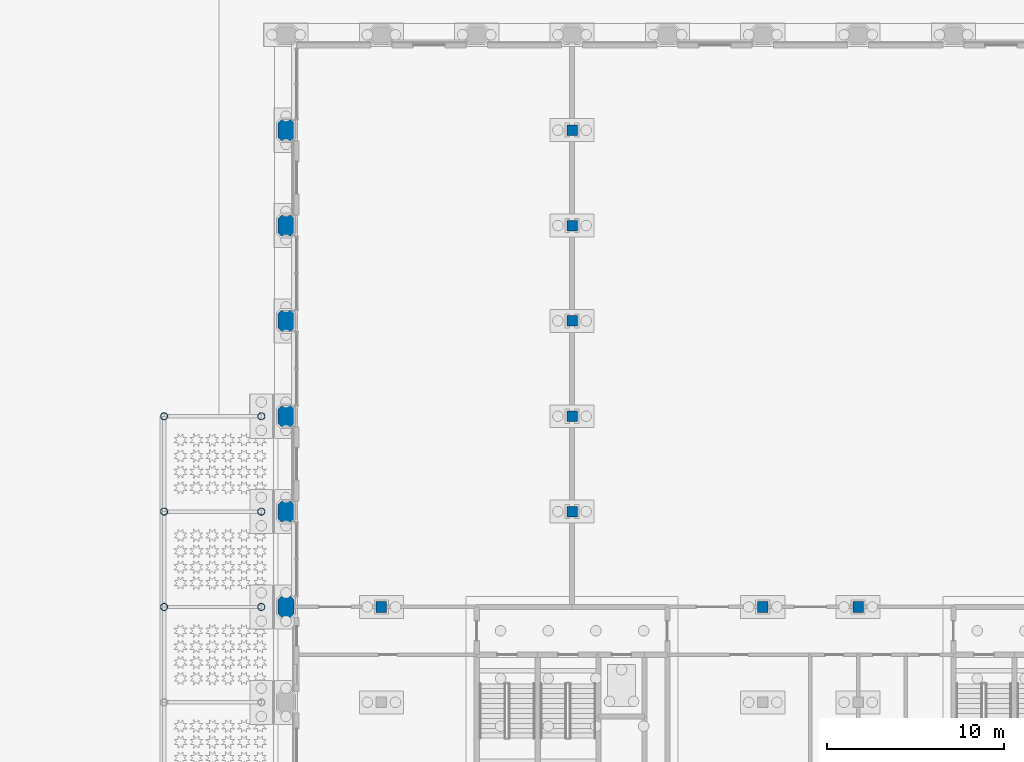
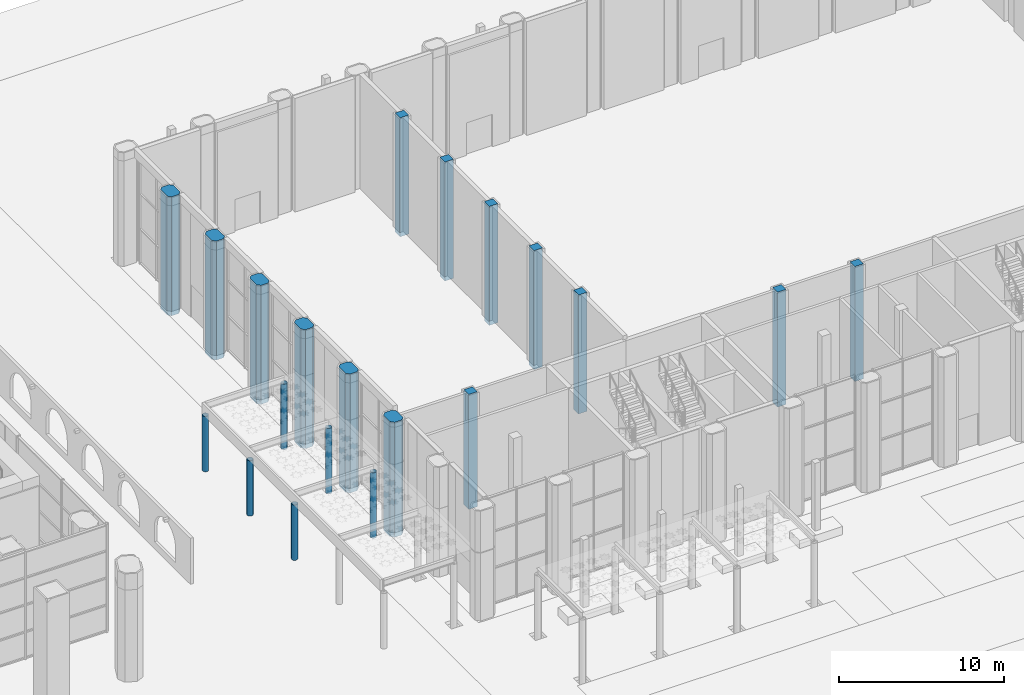
# One storey, part 6 of 54: 20 columns.
"""IFC4 building model written with IfcOpenShell, lengths in metres."""

from ifc_helpers import new_model, si_unit, direction, frame, origin, origin_2d, place, context, subcontext, project, spatial, polyline, rectangle, hollow_circle, outline, extrude, material, material_profile, profile_set, type_object, element, save


model = new_model("IFC4")

# Units and contexts
model_context = context("Model", 3, precision=1e-05, world=origin(), true_north=direction((0.0, 1.0)))
body_context = subcontext(model_context, "Body", "Model", "MODEL_VIEW")
ifc_project = project(units=[si_unit("LENGTHUNIT", "METRE"), si_unit("AREAUNIT", "SQUARE_METRE"), si_unit("VOLUMEUNIT", "CUBIC_METRE"), si_unit("PLANEANGLEUNIT", "RADIAN"), si_unit("MASSUNIT", "GRAM", prefix="KILO")], contexts=[model_context])

# Site, building, storey
site_placement = place(None, origin())
site = spatial("IfcSite", under=ifc_project, at=site_placement, CompositionType="ELEMENT")
building_placement = place(site_placement, origin())
building = spatial("IfcBuilding", under=site, at=building_placement, Name="Tabaq Tower and Sports Hall", CompositionType="ELEMENT")
storey_placement = place(building_placement, origin())
storey = spatial("IfcBuildingStorey", under=building, at=storey_placement, Name="L00", CompositionType="ELEMENT", Elevation=0.0)

# Columns
ifc_material_1 = material(Name="Steel S355", Category="steel")
ifc_material_profile_1 = material_profile(ifc_material_1, hollow_circle(Radius=0.203125, WallThickness=0.01611328125, at=origin_2d()), Name="CHS 406.4x16")
ifc_profile_set_1 = profile_set([ifc_material_profile_1], Name="Steel S355")
column_type_1 = type_object("IfcColumnType", Name="CANOPY COLUMN CHS 406.4x16", PredefinedType="COLUMN", material=ifc_profile_set_1)
column_1_placement = place(storey_placement, frame((63.39990234375, 10.800048828125, -0.300048828125), z_axis=(0.0, 0.0, 1.0), x_axis=(1.0, 0.0, 0.0)))
element("IfcColumn", 1, at=column_1_placement, inside=storey, type_object=column_type_1, Name="Plaza canopy column PC3", PredefinedType="COLUMN", context=body_context, shape_type="SweptSolid", body=[
    extrude(hollow_circle(Radius=0.203125, WallThickness=0.01611328125, at=origin_2d()), origin(), (0.0, 0.0, 1.0), 4.843017578125),
])
column_2_placement = place(storey_placement, frame((57.89990234375, 10.800048828125, 0.0), z_axis=(0.0, 0.0, 1.0), x_axis=(1.0, 0.0, 0.0)))
element("IfcColumn", 2, at=column_2_placement, inside=storey, type_object=column_type_1, Name="Plaza canopy front column PF3", PredefinedType="COLUMN", context=body_context, shape_type="SweptSolid", body=[
    extrude(hollow_circle(Radius=0.203125, WallThickness=0.01611328125, at=origin_2d()), origin(), (0.0, 0.0, 1.0), 4.0859375),
])
column_3_placement = place(storey_placement, frame((63.39990234375, 16.199951171875, -0.300048828125), z_axis=(0.0, 0.0, 1.0), x_axis=(1.0, 0.0, 0.0)))
element("IfcColumn", 3, at=column_3_placement, inside=storey, type_object=column_type_1, Name="Plaza canopy column PC4", PredefinedType="COLUMN", context=body_context, shape_type="SweptSolid", body=[
    extrude(hollow_circle(Radius=0.203125, WallThickness=0.01611328125, at=origin_2d()), origin(), (0.0, 0.0, 1.0), 4.843017578125),
])
column_4_placement = place(storey_placement, frame((57.89990234375, 16.199951171875, 0.0), z_axis=(0.0, 0.0, 1.0), x_axis=(1.0, 0.0, 0.0)))
element("IfcColumn", 4, at=column_4_placement, inside=storey, type_object=column_type_1, Name="Plaza canopy front column PF4", PredefinedType="COLUMN", context=body_context, shape_type="SweptSolid", body=[
    extrude(hollow_circle(Radius=0.203125, WallThickness=0.01611328125, at=origin_2d()), origin(), (0.0, 0.0, 1.0), 4.0859375),
])
column_5_placement = place(storey_placement, frame((63.39990234375, 21.60009765625, -0.300048828125), z_axis=(0.0, 0.0, 1.0), x_axis=(1.0, 0.0, 0.0)))
element("IfcColumn", 5, at=column_5_placement, inside=storey, type_object=column_type_1, Name="Plaza canopy column PC5", PredefinedType="COLUMN", context=body_context, shape_type="SweptSolid", body=[
    extrude(hollow_circle(Radius=0.203125, WallThickness=0.01611328125, at=origin_2d()), origin(), (0.0, 0.0, 1.0), 4.843017578125),
])
column_6_placement = place(storey_placement, frame((57.89990234375, 21.60009765625, 0.0), z_axis=(0.0, 0.0, 1.0), x_axis=(1.0, 0.0, 0.0)))
element("IfcColumn", 6, at=column_6_placement, inside=storey, type_object=column_type_1, Name="Plaza canopy front column PF5", PredefinedType="COLUMN", context=body_context, shape_type="SweptSolid", body=[
    extrude(hollow_circle(Radius=0.203125, WallThickness=0.01611328125, at=origin_2d()), origin(), (0.0, 0.0, 1.0), 4.0859375),
])
ifc_material_2 = material(Name="Concrete C50/60", Category="concrete")
ifc_material_profile_2 = material_profile(ifc_material_2, rectangle(XDim=0.60009765625, YDim=0.60009765625, at=origin_2d()), Name="RC 600x600")
ifc_profile_set_2 = profile_set([ifc_material_profile_2], Name="Concrete C50/60")
column_type_2 = type_object("IfcColumnType", Name="HALL COLUMN RC 600x600", PredefinedType="COLUMN", material=ifc_profile_set_2)
column_7_placement = place(storey_placement, frame((70.199951171875, 10.800048828125, -0.39990234375), z_axis=(0.0, 0.0, 1.0), x_axis=(1.0, 0.0, 0.0)))
element("IfcColumn", 7, at=column_7_placement, inside=storey, type_object=column_type_2, Name="Column 14C L00", PredefinedType="COLUMN", context=body_context, shape_type="SweptSolid", body=[
    extrude(rectangle(XDim=0.60009765625, YDim=0.60009765625, at=origin_2d()), origin(), (0.0, 0.0, 1.0), 8.5),
])
for number, where, z_axis, x_axis, name in (
    (8, (81.0, 16.199951171875, -0.39990234375), (0.0, 0.0, 1.0), (1.0, 0.0, 0.0), "Column 16D L00"),
    (9, (81.0, 21.60009765625, -0.39990234375), (0.0, 0.0, 1.0), (1.0, 0.0, 0.0), "Column 16E L00"),
    (10, (81.0, 27.0, -0.39990234375), (0.0, 0.0, 1.0), (1.0, 0.0, 0.0), "Column 16F L00"),
    (11, (81.0, 32.39990234375, -0.39990234375), (0.0, 0.0, 1.0), (1.0, 0.0, 0.0), "Column 16G L00"),
    (12, (81.0, 37.800048828125, -0.39990234375), (0.0, 0.0, 1.0), (1.0, 0.0, 0.0), "Column 16H L00"),
):
    element("IfcColumn", number, at=place(storey_placement, frame(where, z_axis=z_axis, x_axis=x_axis)), inside=storey, type_object=column_type_2, Name=name, PredefinedType="COLUMN", context=body_context, shape_type="SweptSolid", body=[
        extrude(rectangle(XDim=0.60009765625, YDim=0.60009765625, at=origin_2d()), origin(), (0.0, 0.0, 1.0), 8.7998046875),
    ])
for number, where, z_axis, x_axis, name in (
    (13, (91.800048828125, 10.800048828125, -0.39990234375), (0.0, 0.0, 1.0), (1.0, 0.0, 0.0), "Column 18C L00"),
    (14, (97.199951171875, 10.800048828125, -0.39990234375), (0.0, 0.0, 1.0), (1.0, 0.0, 0.0), "Column 19C L00"),
):
    element("IfcColumn", number, at=place(storey_placement, frame(where, z_axis=z_axis, x_axis=x_axis)), inside=storey, type_object=column_type_2, Name=name, PredefinedType="COLUMN", context=body_context, shape_type="SweptSolid", body=[
        extrude(rectangle(XDim=0.60009765625, YDim=0.60009765625, at=origin_2d()), origin(), (0.0, 0.0, 1.0), 8.5),
    ])
ifc_material_3 = material(Name="Concrete C50/60", Category="concrete")
ifc_material_profile_3 = material_profile(ifc_material_3, outline(polyline([(-0.39990234375, -0.449951171875), (0.39990234375, -0.449951171875), (0.60009765625, -0.25), (0.60009765625, 0.25), (0.39990234375, 0.449951171875), (-0.39990234375, 0.449951171875), (-0.60009765625, 0.25), (-0.60009765625, -0.25), (-0.39990234375, -0.449951171875)])), Name="PIER 1200x900")
ifc_profile_set_3 = profile_set([ifc_material_profile_3], Name="Concrete C50/60")
column_type_3 = type_object("IfcColumnType", Name="HALL PIER RC 1200x900", PredefinedType="COLUMN", material=ifc_profile_set_3)
column_8_placement = place(storey_placement, frame((64.800048828125, 10.800048828125, -0.39990234375), z_axis=(0.0, 0.0, 1.0), x_axis=(0.0, 1.0, 0.0)))
element("IfcColumn", 15, at=column_8_placement, inside=storey, type_object=column_type_3, Name="Pier 13C L00", PredefinedType="COLUMN", context=body_context, shape_type="SweptSolid", body=[
    extrude(outline(polyline([(-0.39990234375, -0.449951171875), (0.39990234375, -0.449951171875), (0.60009765625, -0.25), (0.60009765625, 0.25), (0.39990234375, 0.449951171875), (-0.39990234375, 0.449951171875), (-0.60009765625, 0.25), (-0.60009765625, -0.25), (-0.39990234375, -0.449951171875)])), origin(), (0.0, 0.0, 1.0), 8.5),
])
for number, where, z_axis, x_axis, name in (
    (16, (64.800048828125, 16.199951171875, -0.39990234375), (0.0, 0.0, 1.0), (0.0, 1.0, 0.0), "Pier 13D L00"),
    (17, (64.800048828125, 21.60009765625, -0.39990234375), (0.0, 0.0, 1.0), (0.0, 1.0, 0.0), "Pier 13E L00"),
    (18, (64.800048828125, 27.0, -0.39990234375), (0.0, 0.0, 1.0), (0.0, 1.0, 0.0), "Pier 13F L00"),
    (19, (64.800048828125, 32.39990234375, -0.39990234375), (0.0, 0.0, 1.0), (0.0, 1.0, 0.0), "Pier 13G L00"),
    (20, (64.800048828125, 37.800048828125, -0.39990234375), (0.0, 0.0, 1.0), (0.0, 1.0, 0.0), "Pier 13H L00"),
):
    element("IfcColumn", number, at=place(storey_placement, frame(where, z_axis=z_axis, x_axis=x_axis)), inside=storey, type_object=column_type_3, Name=name, PredefinedType="COLUMN", context=body_context, shape_type="SweptSolid", body=[
        extrude(outline(polyline([(-0.39990234375, -0.449951171875), (0.39990234375, -0.449951171875), (0.60009765625, -0.25), (0.60009765625, 0.25), (0.39990234375, 0.449951171875), (-0.39990234375, 0.449951171875), (-0.60009765625, 0.25), (-0.60009765625, -0.25), (-0.39990234375, -0.449951171875)])), origin(), (0.0, 0.0, 1.0), 8.7998046875),
    ])

save(model, "model.ifc")
